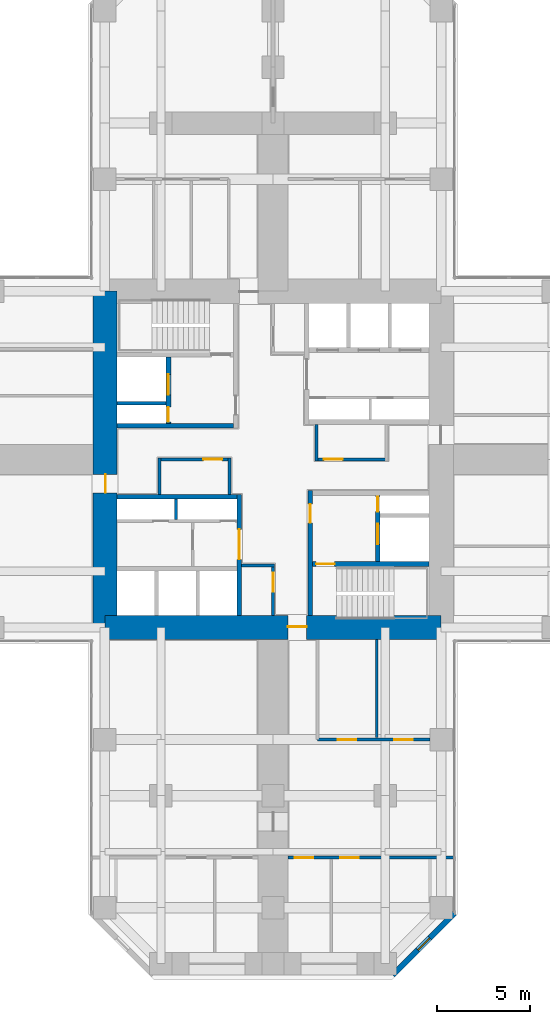
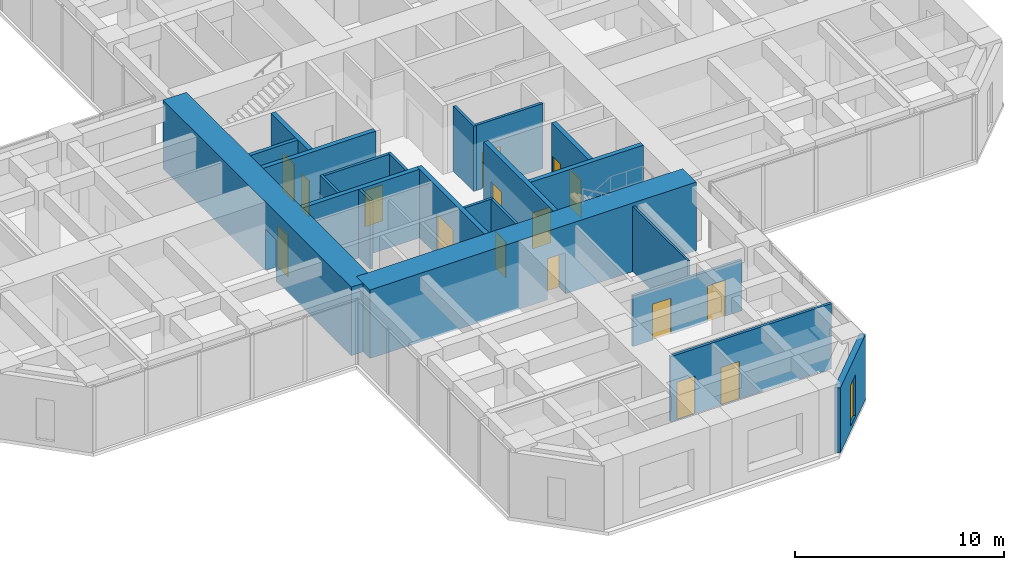
# One storey, part 9 of 13: 22 walls, 16 doors, 1 window, 17 openings.
"""IFC4 building model written with IfcOpenShell, lengths in metres."""

from ifc_helpers import new_model, si_unit, direction, frame, frame_2d, origin, place, context, subcontext, project, spatial, rectangle, hollow_rectangle, extrude, material, layer, layer_set, constituent, constituent_set, type_object, element, fill, save


model = new_model("IFC4")

# Units and contexts
model_context = context("Model", 3, precision=1e-05, world=origin(), true_north=direction((0.0, 1.0)))
body_context = subcontext(model_context, "Body", "Model", "MODEL_VIEW")
ifc_project = project(units=[si_unit("LENGTHUNIT", "METRE"), si_unit("AREAUNIT", "SQUARE_METRE"), si_unit("VOLUMEUNIT", "CUBIC_METRE"), si_unit("PLANEANGLEUNIT", "RADIAN"), si_unit("MASSUNIT", "GRAM", prefix="KILO")], contexts=[model_context])

# Site, building, storey
site_placement = place(None, origin())
site = spatial("IfcSite", under=ifc_project, at=site_placement, CompositionType="ELEMENT")
building_placement = place(site_placement, origin())
building = spatial("IfcBuilding", under=site, at=building_placement, Name="Torre Cruceta", CompositionType="ELEMENT")
storey_placement = place(building_placement, frame((0.0, 0.0, 31.5)))
storey = spatial("IfcBuildingStorey", under=building, at=storey_placement, Name="L07", CompositionType="ELEMENT", Elevation=31.5)

# Wall
ifc_material_1 = material(Name="Concrete G60 (fck 60 MPa)", Category="concrete")
ifc_layer_1 = layer(ifc_material_1, 0.25)
ifc_layer_set_1 = layer_set([ifc_layer_1], Name="Concrete G60 (fck 60 MPa)")
wall_type_1 = type_object("IfcWallType", Name="CORE INNER WALL 250 G60", PredefinedType="SHEAR", material=ifc_layer_set_1)
wall_1_placement = place(storey_placement, frame((-2.125, 1.800048828125, 0.0), z_axis=(0.0, 0.0, 1.0), x_axis=(-1.0, 0.0, 0.0)))
element("IfcWall", 1, at=wall_1_placement, inside=storey, type_object=wall_type_1, Name="CW4 L07 NW-CV", PredefinedType="SHEAR", context=body_context, shape_type="SweptSolid", body=[
    extrude(rectangle(XDim=6.22509765625, YDim=0.25, at=frame_2d((3.112548828125, 0.0))), origin(), (0.0, 0.0, 1.0), 4.0),
])

# Wall, openings, doors
wall_2_placement = place(storey_placement, frame((-5.60009765625, 1.925048828125, 0.0), z_axis=(0.0, 0.0, 1.0), x_axis=(0.0, 1.0, 0.0)))
wall_2 = element("IfcWall", 2, at=wall_2_placement, inside=storey, type_object=wall_type_1, Name="CW4 L07 NW-FU", PredefinedType="SHEAR", context=body_context, shape_type="SweptSolid", body=[
    extrude(rectangle(XDim=3.550048828125, YDim=0.25, at=frame_2d((1.77490234375, 0.0))), origin(), (0.0, 0.0, 1.0), 4.0),
])
opening_1_placement = place(wall_2_placement, frame((1.52490234375, 0.0, 0.0)))
opening_1 = element("IfcOpeningElement", 3, at=opening_1_placement, cuts=wall_2, Name="Opening LD1", PredefinedType="OPENING", context=body_context, shape_type="SweptSolid", body=[
    extrude(rectangle(XDim=1.10009765625, YDim=2.199951171875, at=frame_2d((0.550048828125, 1.10009765625))), frame((0.0, 0.135009765625, 0.0), z_axis=(0.0, -1.0, 0.0), x_axis=(1.0, 0.0, 0.0)), (0.0, 0.0, 1.0), 0.27001953125),
])
opening_2_placement = place(wall_2_placement, frame((0.074951171875, 0.0, 0.0)))
opening_2 = element("IfcOpeningElement", 4, at=opening_2_placement, cuts=wall_2, Name="Opening D5", PredefinedType="OPENING", context=body_context, shape_type="SweptSolid", body=[
    extrude(rectangle(XDim=0.800048828125, YDim=2.10009765625, at=frame_2d((0.39990234375, 1.050048828125))), frame((0.0, 0.135009765625, 0.0), z_axis=(0.0, -1.0, 0.0), x_axis=(1.0, 0.0, 0.0)), (0.0, 0.0, 1.0), 0.27001953125),
])
ifc_material_2 = material(Name="Stainless steel 1.4401", Category="steel")
door_type_1 = type_object("IfcDoorType", Name="LIFT LANDING DOOR 1100X2200", OperationType="DOUBLE_DOOR_SLIDING", PredefinedType="DOOR", material=ifc_material_2)
door_1_placement = place(opening_1_placement, origin())
door_1 = element("IfcDoor", 5, at=door_1_placement, inside=storey, type_object=door_type_1, Name="Lift landing door FL1", OperationType="DOUBLE_DOOR_SLIDING", OverallHeight=2.199951171875, OverallWidth=1.10009765625, PredefinedType="DOOR", context=body_context, shape_type="SweptSolid", body=[
    extrude(rectangle(XDim=1.10009765625, YDim=2.199951171875, at=frame_2d((0.550048828125, 1.10009765625))), frame((0.0, 0.02490234375, 0.0), z_axis=(0.0, -1.0, 0.0), x_axis=(1.0, 0.0, 0.0)), (0.0, 0.0, 1.0), 0.050048828125),
])
fill(opening_1, door_1)
ifc_material_3 = material(Name="Steel DX51D", Category="steel")
ifc_constituent_1 = constituent(ifc_material_3, Name="Leaf and frame")
ifc_material_4 = material(Name="Polyester powder coating", Category="paint")
ifc_constituent_2 = constituent(ifc_material_4, Name="Finish")
ifc_constituent_set_1 = constituent_set(constituents=[ifc_constituent_1, ifc_constituent_2], Name="Steel fire door")
door_type_2 = type_object("IfcDoorType", Name="RISER ACCESS DOOR 800X2100", OperationType="SINGLE_SWING_LEFT", PredefinedType="DOOR", material=ifc_constituent_set_1)
door_2_placement = place(opening_2_placement, origin())
door_2 = element("IfcDoor", 6, at=door_2_placement, inside=storey, type_object=door_type_2, Name="D5 L07 NW-RISER", OperationType="SINGLE_SWING_LEFT", OverallHeight=2.10009765625, OverallWidth=0.800048828125, PredefinedType="DOOR", context=body_context, shape_type="SweptSolid", body=[
    extrude(rectangle(XDim=0.800048828125, YDim=2.10009765625, at=frame_2d((0.39990234375, 1.050048828125))), frame((0.0, 0.02490234375, 0.0), z_axis=(0.0, -1.0, 0.0), x_axis=(1.0, 0.0, 0.0)), (0.0, 0.0, 1.0), 0.050048828125),
])
fill(opening_2, door_2)

# Wall, opening, door
wall_3_placement = place(storey_placement, frame((-1.800048828125, -1.875, 0.0), z_axis=(0.0, 0.0, 1.0), x_axis=(0.0, -1.0, 0.0)))
wall_3 = element("IfcWall", 7, at=wall_3_placement, inside=storey, type_object=wall_type_1, Name="CW4 L07 SW-CU", PredefinedType="SHEAR", context=body_context, shape_type="SweptSolid", body=[
    extrude(rectangle(XDim=6.47509765625, YDim=0.25, at=frame_2d((3.237548828125, 0.0))), origin(), (0.0, 0.0, 1.0), 4.0),
])
opening_3_placement = place(wall_3_placement, frame((1.875, 0.0, 0.0)))
opening_3 = element("IfcOpeningElement", 8, at=opening_3_placement, cuts=wall_3, Name="Opening D15", PredefinedType="OPENING", context=body_context, shape_type="SweptSolid", body=[
    extrude(rectangle(XDim=1.60009765625, YDim=2.39990234375, at=frame_2d((0.800048828125, 1.199951171875))), frame((0.0, 0.135009765625, 0.0), z_axis=(0.0, -1.0, 0.0), x_axis=(1.0, 0.0, 0.0)), (0.0, 0.0, 1.0), 0.27001953125),
])
ifc_material_5 = material(Name="Steel DX51D", Category="steel")
ifc_constituent_3 = constituent(ifc_material_5, Name="Leaf and frame")
ifc_material_6 = material(Name="Polyester powder coating", Category="paint")
ifc_constituent_4 = constituent(ifc_material_6, Name="Finish")
ifc_constituent_set_2 = constituent_set(constituents=[ifc_constituent_3, ifc_constituent_4], Name="Steel fire door")
door_type_3 = type_object("IfcDoorType", Name="CORE ROOM DOUBLE DOOR 1600X2400", OperationType="DOUBLE_DOOR_SINGLE_SWING", PredefinedType="DOOR", material=ifc_constituent_set_2)
door_3_placement = place(opening_3_placement, frame((1.60009765625, 0.0, 0.0), z_axis=(0.0, 0.0, 1.0), x_axis=(-1.0, 0.0, 0.0)))
door_3 = element("IfcDoor", 9, at=door_3_placement, inside=storey, type_object=door_type_3, Name="D15 L07 SW-LOBBY", OperationType="DOUBLE_DOOR_SINGLE_SWING", OverallHeight=2.39990234375, OverallWidth=1.60009765625, PredefinedType="DOOR", context=body_context, shape_type="SweptSolid", body=[
    extrude(rectangle(XDim=1.60009765625, YDim=2.39990234375, at=frame_2d((0.800048828125, 1.199951171875))), frame((0.0, 0.025146484375, 0.0), z_axis=(0.0, -1.0, 0.0), x_axis=(1.0, 0.0, 0.0)), (0.0, 0.0, 1.0), 0.050048828125),
])
fill(opening_3, door_3)

# Wall
wall_4_placement = place(storey_placement, frame((-1.925048828125, -2.0, 0.0), z_axis=(0.0, 0.0, 1.0), x_axis=(-1.0, 0.0, 0.0)))
element("IfcWall", 10, at=wall_4_placement, inside=storey, type_object=wall_type_1, Name="CW4 L07 SW-CV", PredefinedType="SHEAR", context=body_context, shape_type="SweptSolid", body=[
    extrude(rectangle(XDim=6.425048828125, YDim=0.25, at=frame_2d((3.21240234375, 0.0))), origin(), (0.0, 0.0, 1.0), 4.0),
])

# Wall, opening, door
wall_5_placement = place(storey_placement, frame((2.0, -1.675048828125, 0.0), z_axis=(0.0, 0.0, 1.0), x_axis=(0.0, -1.0, 0.0)))
wall_5 = element("IfcWall", 11, at=wall_5_placement, inside=storey, type_object=wall_type_1, Name="CW4 L07 SE-CU", PredefinedType="SHEAR", context=body_context, shape_type="SweptSolid", body=[
    extrude(rectangle(XDim=6.675048828125, YDim=0.25, at=frame_2d((3.33740234375, 0.0))), origin(), (0.0, 0.0, 1.0), 4.0),
])
opening_4_placement = place(wall_5_placement, frame((0.72509765625, 0.0, 0.0)))
opening_4 = element("IfcOpeningElement", 12, at=opening_4_placement, cuts=wall_5, Name="Opening D3", PredefinedType="OPENING", context=body_context, shape_type="SweptSolid", body=[
    extrude(rectangle(XDim=1.0, YDim=2.10009765625, at=frame_2d((0.5, 1.050048828125))), frame((0.0, 0.135009765625, 0.0), z_axis=(0.0, -1.0, 0.0), x_axis=(1.0, 0.0, 0.0)), (0.0, 0.0, 1.0), 0.27001953125),
])
ifc_material_7 = material(Name="Steel DX51D", Category="steel")
ifc_constituent_5 = constituent(ifc_material_7, Name="Leaf and frame")
ifc_material_8 = material(Name="Polyester powder coating", Category="paint")
ifc_constituent_6 = constituent(ifc_material_8, Name="Finish")
ifc_constituent_set_3 = constituent_set(constituents=[ifc_constituent_5, ifc_constituent_6], Name="Steel fire door")
door_type_4 = type_object("IfcDoorType", Name="FIRE DOOR 1000X2100", OperationType="SINGLE_SWING_LEFT", PredefinedType="DOOR", material=ifc_constituent_set_3)
door_4_placement = place(opening_4_placement, origin())
door_4 = element("IfcDoor", 13, at=door_4_placement, inside=storey, type_object=door_type_4, Name="D3 L07 SE-LOBBY", OperationType="SINGLE_SWING_LEFT", OverallHeight=2.10009765625, OverallWidth=1.0, PredefinedType="DOOR", context=body_context, shape_type="SweptSolid", body=[
    extrude(rectangle(XDim=1.0, YDim=2.10009765625, at=frame_2d((0.5, 1.050048828125))), frame((0.0, 0.02490234375, 0.0), z_axis=(0.0, -1.0, 0.0), x_axis=(1.0, 0.0, 0.0)), (0.0, 0.0, 1.0), 0.050048828125),
])
fill(opening_4, door_4)

wall_6_placement = place(storey_placement, frame((2.125, -5.60009765625, 0.0), z_axis=(0.0, 0.0, 1.0), x_axis=(1.0, 0.0, 0.0)))
wall_6 = element("IfcWall", 14, at=wall_6_placement, inside=storey, type_object=wall_type_1, Name="CW4 L07 SE-SV", PredefinedType="SHEAR", context=body_context, shape_type="SweptSolid", body=[
    extrude(rectangle(XDim=6.22509765625, YDim=0.25, at=frame_2d((3.112548828125, 0.0))), origin(), (0.0, 0.0, 1.0), 4.0),
])
opening_5_placement = place(wall_6_placement, frame((0.175048828125, 0.0, 0.0)))
opening_5 = element("IfcOpeningElement", 15, at=opening_5_placement, cuts=wall_6, Name="Opening D3", PredefinedType="OPENING", context=body_context, shape_type="SweptSolid", body=[
    extrude(rectangle(XDim=1.0, YDim=2.10009765625, at=frame_2d((0.5, 1.050048828125))), frame((0.0, 0.135009765625, 0.0), z_axis=(0.0, -1.0, 0.0), x_axis=(1.0, 0.0, 0.0)), (0.0, 0.0, 1.0), 0.27001953125),
])
door_5_placement = place(opening_5_placement, frame((1.0, 0.0, 0.0), z_axis=(0.0, 0.0, 1.0), x_axis=(-1.0, 0.0, 0.0)))
door_5 = element("IfcDoor", 16, at=door_5_placement, inside=storey, type_object=door_type_4, Name="D3 L07 SE-STAIR", OperationType="SINGLE_SWING_RIGHT", OverallHeight=2.10009765625, OverallWidth=1.0, PredefinedType="DOOR", context=body_context, shape_type="SweptSolid", body=[
    extrude(rectangle(XDim=1.0, YDim=2.10009765625, at=frame_2d((0.5, 1.050048828125))), frame((0.0, 0.025146484375, 0.0), z_axis=(0.0, -1.0, 0.0), x_axis=(1.0, 0.0, 0.0)), (0.0, 0.0, 1.0), 0.050048828125),
])
fill(opening_5, door_5)

# Wall, openings, doors
wall_7_placement = place(storey_placement, frame((5.60009765625, -1.925048828125, 0.0), z_axis=(0.0, 0.0, 1.0), x_axis=(0.0, -1.0, 0.0)))
wall_7 = element("IfcWall", 17, at=wall_7_placement, inside=storey, type_object=wall_type_1, Name="CW4 L07 SE-FU", PredefinedType="SHEAR", context=body_context, shape_type="SweptSolid", body=[
    extrude(rectangle(XDim=3.550048828125, YDim=0.25, at=frame_2d((1.77490234375, 0.0))), origin(), (0.0, 0.0, 1.0), 4.0),
])
opening_6_placement = place(wall_7_placement, frame((1.52490234375, 0.0, 0.0)))
opening_6 = element("IfcOpeningElement", 18, at=opening_6_placement, cuts=wall_7, Name="Opening LD1", PredefinedType="OPENING", context=body_context, shape_type="SweptSolid", body=[
    extrude(rectangle(XDim=1.10009765625, YDim=2.199951171875, at=frame_2d((0.550048828125, 1.10009765625))), frame((0.0, 0.135009765625, 0.0), z_axis=(0.0, -1.0, 0.0), x_axis=(1.0, 0.0, 0.0)), (0.0, 0.0, 1.0), 0.27001953125),
])
opening_7_placement = place(wall_7_placement, frame((0.074951171875, 0.0, 0.0)))
opening_7 = element("IfcOpeningElement", 19, at=opening_7_placement, cuts=wall_7, Name="Opening D5", PredefinedType="OPENING", context=body_context, shape_type="SweptSolid", body=[
    extrude(rectangle(XDim=0.800048828125, YDim=2.10009765625, at=frame_2d((0.39990234375, 1.050048828125))), frame((0.0, 0.135009765625, 0.0), z_axis=(0.0, -1.0, 0.0), x_axis=(1.0, 0.0, 0.0)), (0.0, 0.0, 1.0), 0.27001953125),
])
door_6_placement = place(opening_6_placement, origin())
door_6 = element("IfcDoor", 20, at=door_6_placement, inside=storey, type_object=door_type_1, Name="Lift landing door FL2", OperationType="DOUBLE_DOOR_SLIDING", OverallHeight=2.199951171875, OverallWidth=1.10009765625, PredefinedType="DOOR", context=body_context, shape_type="SweptSolid", body=[
    extrude(rectangle(XDim=1.10009765625, YDim=2.199951171875, at=frame_2d((0.550048828125, 1.10009765625))), frame((0.0, 0.02490234375, 0.0), z_axis=(0.0, -1.0, 0.0), x_axis=(1.0, 0.0, 0.0)), (0.0, 0.0, 1.0), 0.050048828125),
])
fill(opening_6, door_6)
door_7_placement = place(opening_7_placement, origin())
door_7 = element("IfcDoor", 21, at=door_7_placement, inside=storey, type_object=door_type_2, Name="D5 L07 SE-RISER", OperationType="SINGLE_SWING_LEFT", OverallHeight=2.10009765625, OverallWidth=0.800048828125, PredefinedType="DOOR", context=body_context, shape_type="SweptSolid", body=[
    extrude(rectangle(XDim=0.800048828125, YDim=2.10009765625, at=frame_2d((0.39990234375, 1.050048828125))), frame((0.0, 0.02490234375, 0.0), z_axis=(0.0, -1.0, 0.0), x_axis=(1.0, 0.0, 0.0)), (0.0, 0.0, 1.0), 0.050048828125),
])
fill(opening_7, door_7)

# Wall, opening, door
ifc_material_9 = material(Name="Concrete G60 (fck 60 MPa)", Category="concrete")
ifc_layer_2 = layer(ifc_material_9, 1.300048828125)
ifc_layer_set_2 = layer_set([ifc_layer_2], Name="Concrete G60 (fck 60 MPa)")
wall_type_2 = type_object("IfcWallType", Name="CORE WALL 1300 G60", PredefinedType="SHEAR", material=ifc_layer_set_2)
wall_8_placement = place(storey_placement, frame((-9.0, -9.0, 0.0), z_axis=(0.0, 0.0, 1.0), x_axis=(1.0, 0.0, 0.0)))
wall_8 = element("IfcWall", 22, at=wall_8_placement, inside=storey, type_object=wall_type_2, Name="CW1 L07 CW-S", PredefinedType="SHEAR", context=body_context, shape_type="SweptSolid", body=[
    extrude(rectangle(XDim=18.0, YDim=1.300048828125, at=frame_2d((9.0, 0.0))), origin(), (0.0, 0.0, 1.0), 4.0),
])
opening_8_placement = place(wall_8_placement, frame((9.800048828125, 0.0, 0.0)))
opening_8 = element("IfcOpeningElement", 23, at=opening_8_placement, cuts=wall_8, Name="Opening D4", PredefinedType="OPENING", context=body_context, shape_type="SweptSolid", body=[
    extrude(rectangle(XDim=1.0, YDim=2.39990234375, at=frame_2d((0.5, 1.199951171875))), frame((0.0, 0.659912109375, 0.0), z_axis=(0.0, -1.0, 0.0), x_axis=(1.0, 0.0, 0.0)), (0.0, 0.0, 1.0), 1.320068359375),
])
ifc_material_10 = material(Name="Steel DX51D", Category="steel")
ifc_constituent_7 = constituent(ifc_material_10, Name="Leaf and frame")
ifc_material_11 = material(Name="Polyester powder coating", Category="paint")
ifc_constituent_8 = constituent(ifc_material_11, Name="Finish")
ifc_constituent_set_4 = constituent_set(constituents=[ifc_constituent_7, ifc_constituent_8], Name="Steel fire door")
door_type_5 = type_object("IfcDoorType", Name="CORE ARM DOOR 1000X2400", OperationType="SINGLE_SWING_RIGHT", PredefinedType="DOOR", material=ifc_constituent_set_4)
door_8_placement = place(opening_8_placement, frame((1.0, 0.0, 0.0), z_axis=(0.0, 0.0, 1.0), x_axis=(-1.0, 0.0, 0.0)))
door_8 = element("IfcDoor", 24, at=door_8_placement, inside=storey, type_object=door_type_5, Name="D4 L07 CW-S", OperationType="SINGLE_SWING_RIGHT", OverallHeight=2.39990234375, OverallWidth=1.0, PredefinedType="DOOR", context=body_context, shape_type="SweptSolid", body=[
    extrude(rectangle(XDim=1.0, YDim=2.39990234375, at=frame_2d((0.5, 1.199951171875))), frame((0.0, -0.005126953125, 0.0), z_axis=(0.0, -1.0, 0.0), x_axis=(1.0, 0.0, 0.0)), (0.0, 0.0, 1.0), 0.050048828125),
])
fill(opening_8, door_8)

wall_9_placement = place(storey_placement, frame((-9.0, 9.0, 0.0), z_axis=(0.0, 0.0, 1.0), x_axis=(0.0, -1.0, 0.0)))
wall_9 = element("IfcWall", 25, at=wall_9_placement, inside=storey, type_object=wall_type_2, Name="CW1 L07 CW-W", PredefinedType="SHEAR", context=body_context, shape_type="SweptSolid", body=[
    extrude(rectangle(XDim=18.0, YDim=1.300048828125, at=frame_2d((9.0, 0.0))), origin(), (0.0, 0.0, 1.0), 4.0),
])
opening_9_placement = place(wall_9_placement, frame((9.800048828125, 0.0, 0.0)))
opening_9 = element("IfcOpeningElement", 26, at=opening_9_placement, cuts=wall_9, Name="Opening D4", PredefinedType="OPENING", context=body_context, shape_type="SweptSolid", body=[
    extrude(rectangle(XDim=1.0, YDim=2.39990234375, at=frame_2d((0.5, 1.199951171875))), frame((0.0, 0.659912109375, 0.0), z_axis=(0.0, -1.0, 0.0), x_axis=(1.0, 0.0, 0.0)), (0.0, 0.0, 1.0), 1.320068359375),
])
door_9_placement = place(opening_9_placement, frame((1.0, 0.0, 0.0), z_axis=(0.0, 0.0, 1.0), x_axis=(-1.0, 0.0, 0.0)))
door_9 = element("IfcDoor", 27, at=door_9_placement, inside=storey, type_object=door_type_5, Name="D4 L07 CW-W", OperationType="SINGLE_SWING_RIGHT", OverallHeight=2.39990234375, OverallWidth=1.0, PredefinedType="DOOR", context=body_context, shape_type="SweptSolid", body=[
    extrude(rectangle(XDim=1.0, YDim=2.39990234375, at=frame_2d((0.5, 1.199951171875))), frame((0.0, -0.005126953125, 0.0), z_axis=(0.0, -1.0, 0.0), x_axis=(1.0, 0.0, 0.0)), (0.0, 0.0, 1.0), 0.050048828125),
])
fill(opening_9, door_9)

# Wall, opening, window
ifc_material_12 = material(Name="Concrete G30 (fck 30 MPa)", Category="concrete")
ifc_layer_3 = layer(ifc_material_12, 0.300048828125)
ifc_layer_set_3 = layer_set([ifc_layer_3], Name="Concrete G30 (fck 30 MPa)")
wall_type_3 = type_object("IfcWallType", Name="EXPOSED CONCRETE FACADE WALL 300", PredefinedType="SOLIDWALL", material=ifc_layer_set_3)
wall_10_placement = place(storey_placement, frame((6.418212890625, -27.60009765625, 0.0), z_axis=(0.0, 0.0, 1.0), x_axis=(0.707106781187, 0.707106781187, 0.0)))
wall_10 = element("IfcWall", 28, at=wall_10_placement, inside=storey, type_object=wall_type_3, Name="EW1 facade wall L07 S chamfer 18", PredefinedType="SOLIDWALL", context=body_context, shape_type="SweptSolid", body=[
    extrude(rectangle(XDim=4.66943359375, YDim=0.300048828125, at=frame_2d((2.334716796875, 0.0))), origin(), (0.0, 0.0, 1.0), 3.800048828125),
])
opening_10_placement = place(wall_10_placement, frame((1.884765625, 0.0, 0.300048828125)))
opening_10 = element("IfcOpeningElement", 29, at=opening_10_placement, cuts=wall_10, Name="Opening WN5", PredefinedType="OPENING", context=body_context, shape_type="SweptSolid", body=[
    extrude(rectangle(XDim=0.89990234375, YDim=2.39990234375, at=frame_2d((0.449951171875, 1.199951171875))), frame((0.0, 0.159912109375, 0.0), z_axis=(0.0, -1.0, 0.0), x_axis=(1.0, 0.0, 0.0)), (0.0, 0.0, 1.0), 0.320068359375),
])
ifc_material_13 = material(Name="Aluminium window frame", Category="aluminium")
ifc_constituent_9 = constituent(ifc_material_13, Name="Frame")
ifc_material_14 = material(Name="Laminated insulating glass unit, low-iron clear", Category="glass")
ifc_constituent_10 = constituent(ifc_material_14, Name="Glazing")
ifc_constituent_set_5 = constituent_set(constituents=[ifc_constituent_9, ifc_constituent_10], Name="Aluminium window")
window_type = type_object("IfcWindowType", Name="CHAMFER SLOT WINDOW 900X2400", PartitioningType="SINGLE_PANEL", PredefinedType="WINDOW", material=ifc_constituent_set_5)
window_placement = place(opening_10_placement, origin())
window = element("IfcWindow", 30, at=window_placement, inside=storey, type_object=window_type, Name="WN5 L07 S 1", OverallHeight=2.39990234375, OverallWidth=0.89990234375, PartitioningType="SINGLE_PANEL", PredefinedType="WINDOW", context=body_context, shape_type="SweptSolid", body=[
    extrude(hollow_rectangle(XDim=0.89990234375, YDim=2.39990234375, WallThickness=0.06005859375, at=frame_2d((0.449951171875, 1.199951171875))), frame((0.0, 0.030029296875, 0.0), z_axis=(0.0, -1.0, 0.0), x_axis=(1.0, 0.0, 0.0)), (0.0, 0.0, 1.0), 0.06005859375),
    extrude(rectangle(XDim=0.77880859375, YDim=2.27880859375, at=frame_2d((0.449951171875, 1.199951171875))), frame((0.0, 0.030029296875, 0.0), z_axis=(0.0, -1.0, 0.0), x_axis=(1.0, 0.0, 0.0)), (0.0, 0.0, 1.0), 0.06005859375),
])
fill(opening_10, window)

# Wall
ifc_material_15 = material(Name="Concrete G35 (fck 35 MPa)", Category="concrete")
ifc_layer_4 = layer(ifc_material_15, 0.199951171875)
ifc_layer_set_4 = layer_set([ifc_layer_4], Name="Concrete G35 (fck 35 MPa)")
wall_type_4 = type_object("IfcWallType", Name="LIFT SHAFT WALL 200", PredefinedType="PARTITIONING", material=ifc_layer_set_4)
wall_11_placement = place(storey_placement, frame((-5.72509765625, 3.0, 0.0), z_axis=(0.0, 0.0, 1.0), x_axis=(-1.0, 0.0, 0.0)))
element("IfcWall", 31, at=wall_11_placement, inside=storey, type_object=wall_type_4, Name="SW1 L07 NW-FR", PredefinedType="PARTITIONING", context=body_context, shape_type="SweptSolid", body=[
    extrude(rectangle(XDim=2.625, YDim=0.199951171875, at=frame_2d((1.3125, 0.0))), origin(), (0.0, 0.0, 1.0), 4.0),
])

# Wall, opening, door
ifc_material_16 = material(Name="Plasterboard on steel studs", Category="steel")
ifc_layer_5 = layer(ifc_material_16, 0.14990234375)
ifc_layer_set_5 = layer_set([ifc_layer_5], Name="Plasterboard on steel studs")
wall_type_5 = type_object("IfcWallType", Name="PARTITION 150", PredefinedType="PARTITIONING", material=ifc_layer_set_5)
wall_12_placement = place(storey_placement, frame((2.324951171875, 0.0, 0.0), z_axis=(0.0, 0.0, 1.0), x_axis=(1.0, 0.0, 0.0)))
wall_12 = element("IfcWall", 32, at=wall_12_placement, inside=storey, type_object=wall_type_5, Name="PT1 L07-CORE-LEGE-N-W1", PredefinedType="PARTITIONING", context=body_context, shape_type="SweptSolid", body=[
    extrude(rectangle(XDim=3.75, YDim=0.14990234375, at=frame_2d((1.875, 0.0))), origin(), (0.0, 0.0, 1.0), 3.800048828125),
])
opening_11_placement = place(wall_12_placement, frame((0.39990234375, 0.0, 0.0)))
opening_11 = element("IfcOpeningElement", 33, at=opening_11_placement, cuts=wall_12, Name="Opening D3", PredefinedType="OPENING", context=body_context, shape_type="SweptSolid", body=[
    extrude(rectangle(XDim=1.0, YDim=2.10009765625, at=frame_2d((0.5, 1.050048828125))), frame((0.0, 0.0849609375, 0.0), z_axis=(0.0, -1.0, 0.0), x_axis=(1.0, 0.0, 0.0)), (0.0, 0.0, 1.0), 0.169921875),
])
door_10_placement = place(opening_11_placement, origin())
door_10 = element("IfcDoor", 34, at=door_10_placement, inside=storey, type_object=door_type_4, Name="D3 L07-CORE-LEGE-N-W1-D1", OperationType="SINGLE_SWING_LEFT", OverallHeight=2.10009765625, OverallWidth=1.0, PredefinedType="DOOR", context=body_context, shape_type="SweptSolid", body=[
    extrude(rectangle(XDim=1.0, YDim=2.10009765625, at=frame_2d((0.5, 1.050048828125))), frame((0.0, 0.02490234375, 0.0), z_axis=(0.0, -1.0, 0.0), x_axis=(1.0, 0.0, 0.0)), (0.0, 0.0, 1.0), 0.050048828125),
])
fill(opening_11, door_10)

# Wall
wall_13_placement = place(storey_placement, frame((2.324951171875, 1.875, 0.0), z_axis=(0.0, 0.0, 1.0), x_axis=(0.0, -1.0, 0.0)))
element("IfcWall", 35, at=wall_13_placement, inside=storey, type_object=wall_type_5, Name="PT1 L07-CORE-LEGE-N-W2", PredefinedType="PARTITIONING", context=body_context, shape_type="SweptSolid", body=[
    extrude(rectangle(XDim=1.949951171875, YDim=0.14990234375, at=frame_2d((0.97509765625, 0.0))), origin(), (0.0, 0.0, 1.0), 3.800048828125),
])

# Wall, opening, door
wall_14_placement = place(storey_placement, frame((-2.324951171875, 0.0, 0.0), z_axis=(0.0, 0.0, 1.0), x_axis=(-1.0, 0.0, 0.0)))
wall_14 = element("IfcWall", 36, at=wall_14_placement, inside=storey, type_object=wall_type_5, Name="PT1 L07-CORE-LEGW-S-W1", PredefinedType="PARTITIONING", context=body_context, shape_type="SweptSolid", body=[
    extrude(rectangle(XDim=3.75, YDim=0.14990234375, at=frame_2d((1.875, 0.0))), origin(), (0.0, 0.0, 1.0), 3.800048828125),
])
opening_12_placement = place(wall_14_placement, frame((0.39990234375, 0.0, 0.0)))
opening_12 = element("IfcOpeningElement", 37, at=opening_12_placement, cuts=wall_14, Name="Opening D3", PredefinedType="OPENING", context=body_context, shape_type="SweptSolid", body=[
    extrude(rectangle(XDim=1.0, YDim=2.10009765625, at=frame_2d((0.5, 1.050048828125))), frame((0.0, 0.0849609375, 0.0), z_axis=(0.0, -1.0, 0.0), x_axis=(1.0, 0.0, 0.0)), (0.0, 0.0, 1.0), 0.169921875),
])
door_11_placement = place(opening_12_placement, origin())
door_11 = element("IfcDoor", 38, at=door_11_placement, inside=storey, type_object=door_type_4, Name="D3 L07-CORE-LEGW-S-W1-D1", OperationType="SINGLE_SWING_LEFT", OverallHeight=2.10009765625, OverallWidth=1.0, PredefinedType="DOOR", context=body_context, shape_type="SweptSolid", body=[
    extrude(rectangle(XDim=1.0, YDim=2.10009765625, at=frame_2d((0.5, 1.050048828125))), frame((0.0, 0.02490234375, 0.0), z_axis=(0.0, -1.0, 0.0), x_axis=(1.0, 0.0, 0.0)), (0.0, 0.0, 1.0), 0.050048828125),
])
fill(opening_12, door_11)

# Walls
for number, where, z_axis, x_axis, name in (
    (39, (-2.324951171875, -1.875, 0.0), (0.0, 0.0, 1.0), (0.0, 1.0, 0.0), "PT1 L07-CORE-LEGW-S-W2"),
    (40, (-6.074951171875, 0.074951171875, 0.0), (0.0, 0.0, 1.0), (0.0, -1.0, 0.0), "PT1 L07-CORE-LEGW-S-W3"),
):
    element("IfcWall", number, at=place(storey_placement, frame(where, z_axis=z_axis, x_axis=x_axis)), inside=storey, type_object=wall_type_5, Name=name, PredefinedType="PARTITIONING", context=body_context, shape_type="SweptSolid", body=[
        extrude(rectangle(XDim=1.949951171875, YDim=0.14990234375, at=frame_2d((0.97509765625, 0.0))), origin(), (0.0, 0.0, 1.0), 3.800048828125),
    ])

# Wall, opening, door
wall_15_placement = place(storey_placement, frame((0.0, -5.675048828125, 0.0), z_axis=(0.0, 0.0, 1.0), x_axis=(0.0, -1.0, 0.0)))
wall_15 = element("IfcWall", 41, at=wall_15_placement, inside=storey, type_object=wall_type_5, Name="PT1 L07-CORE-LEGS-W-W1", PredefinedType="PARTITIONING", context=body_context, shape_type="SweptSolid", body=[
    extrude(rectangle(XDim=2.675048828125, YDim=0.14990234375, at=frame_2d((1.33740234375, 0.0))), origin(), (0.0, 0.0, 1.0), 3.800048828125),
])
opening_13_placement = place(wall_15_placement, frame((0.39990234375, 0.0, 0.0)))
opening_13 = element("IfcOpeningElement", 42, at=opening_13_placement, cuts=wall_15, Name="Opening D3", PredefinedType="OPENING", context=body_context, shape_type="SweptSolid", body=[
    extrude(rectangle(XDim=1.0, YDim=2.10009765625, at=frame_2d((0.5, 1.050048828125))), frame((0.0, 0.0849609375, 0.0), z_axis=(0.0, -1.0, 0.0), x_axis=(1.0, 0.0, 0.0)), (0.0, 0.0, 1.0), 0.169921875),
])
door_12_placement = place(opening_13_placement, frame((1.0, 0.0, 0.0), z_axis=(0.0, 0.0, 1.0), x_axis=(-1.0, 0.0, 0.0)))
door_12 = element("IfcDoor", 43, at=door_12_placement, inside=storey, type_object=door_type_4, Name="D3 L07-CORE-LEGS-W-W1-D1", OperationType="SINGLE_SWING_RIGHT", OverallHeight=2.10009765625, OverallWidth=1.0, PredefinedType="DOOR", context=body_context, shape_type="SweptSolid", body=[
    extrude(rectangle(XDim=1.0, YDim=2.10009765625, at=frame_2d((0.5, 1.050048828125))), frame((0.0, 0.025146484375, 0.0), z_axis=(0.0, -1.0, 0.0), x_axis=(1.0, 0.0, 0.0)), (0.0, 0.0, 1.0), 0.050048828125),
])
fill(opening_13, door_12)

# Wall
wall_16_placement = place(storey_placement, frame((-1.675048828125, -5.675048828125, 0.0), z_axis=(0.0, 0.0, 1.0), x_axis=(1.0, 0.0, 0.0)))
element("IfcWall", 44, at=wall_16_placement, inside=storey, type_object=wall_type_5, Name="PT1 L07-CORE-LEGS-W-W2", PredefinedType="PARTITIONING", context=body_context, shape_type="SweptSolid", body=[
    extrude(rectangle(XDim=1.75, YDim=0.14990234375, at=frame_2d((0.875, 0.0))), origin(), (0.0, 0.0, 1.0), 3.800048828125),
])

# Wall, openings, doors
wall_17_placement = place(storey_placement, frame((2.375, -15.0, 0.0), z_axis=(0.0, 0.0, 1.0), x_axis=(1.0, 0.0, 0.0)))
wall_17 = element("IfcWall", 45, at=wall_17_placement, inside=storey, type_object=wall_type_5, Name="PT1 L07-S-BFL", PredefinedType="PARTITIONING", context=body_context, shape_type="SweptSolid", body=[
    extrude(rectangle(XDim=6.02490234375, YDim=0.14990234375, at=frame_2d((3.012451171875, 0.0))), origin(), (0.0, 0.0, 1.0), 2.949951171875),
])
opening_14_placement = place(wall_17_placement, frame((1.08984375, 0.0, 0.0)))
opening_14 = element("IfcOpeningElement", 46, at=opening_14_placement, cuts=wall_17, Name="Opening D3", PredefinedType="OPENING", context=body_context, shape_type="SweptSolid", body=[
    extrude(rectangle(XDim=1.0, YDim=2.10009765625, at=frame_2d((0.5, 1.050048828125))), frame((0.0, 0.0849609375, 0.0), z_axis=(0.0, -1.0, 0.0), x_axis=(1.0, 0.0, 0.0)), (0.0, 0.0, 1.0), 0.169921875),
])
opening_15_placement = place(wall_17_placement, frame((4.102294921875, 0.0, 0.0)))
opening_15 = element("IfcOpeningElement", 47, at=opening_15_placement, cuts=wall_17, Name="Opening D3", PredefinedType="OPENING", context=body_context, shape_type="SweptSolid", body=[
    extrude(rectangle(XDim=1.0, YDim=2.10009765625, at=frame_2d((0.5, 1.050048828125))), frame((0.0, 0.0849609375, 0.0), z_axis=(0.0, -1.0, 0.0), x_axis=(1.0, 0.0, 0.0)), (0.0, 0.0, 1.0), 0.169921875),
])
door_13_placement = place(opening_14_placement, origin())
door_13 = element("IfcDoor", 48, at=door_13_placement, inside=storey, type_object=door_type_4, Name="D3 L07-S-BFL-D1", OperationType="SINGLE_SWING_LEFT", OverallHeight=2.10009765625, OverallWidth=1.0, PredefinedType="DOOR", context=body_context, shape_type="SweptSolid", body=[
    extrude(rectangle(XDim=1.0, YDim=2.10009765625, at=frame_2d((0.5, 1.050048828125))), frame((0.0, 0.02490234375, 0.0), z_axis=(0.0, -1.0, 0.0), x_axis=(1.0, 0.0, 0.0)), (0.0, 0.0, 1.0), 0.050048828125),
])
fill(opening_14, door_13)
door_14_placement = place(opening_15_placement, origin())
door_14 = element("IfcDoor", 49, at=door_14_placement, inside=storey, type_object=door_type_4, Name="D3 L07-S-BFL-D2", OperationType="SINGLE_SWING_LEFT", OverallHeight=2.10009765625, OverallWidth=1.0, PredefinedType="DOOR", context=body_context, shape_type="SweptSolid", body=[
    extrude(rectangle(XDim=1.0, YDim=2.10009765625, at=frame_2d((0.5, 1.050048828125))), frame((0.0, 0.02490234375, 0.0), z_axis=(0.0, -1.0, 0.0), x_axis=(1.0, 0.0, 0.0)), (0.0, 0.0, 1.0), 0.050048828125),
])
fill(opening_15, door_14)

wall_18_placement = place(storey_placement, frame((0.800048828125, -21.320068359375, 0.0), z_axis=(0.0, 0.0, 1.0), x_axis=(1.0, 0.0, 0.0)))
wall_18 = element("IfcWall", 50, at=wall_18_placement, inside=storey, type_object=wall_type_5, Name="PT1 L07-S-TWL", PredefinedType="PARTITIONING", context=body_context, shape_type="SweptSolid", body=[
    extrude(rectangle(XDim=8.8798828125, YDim=0.14990234375, at=frame_2d((4.43994140625, 0.0))), origin(), (0.0, 0.0, 1.0), 3.800048828125),
])
opening_16_placement = place(wall_18_placement, frame((0.35009765625, 0.0, 0.0)))
opening_16 = element("IfcOpeningElement", 51, at=opening_16_placement, cuts=wall_18, Name="Opening D14", PredefinedType="OPENING", context=body_context, shape_type="SweptSolid", body=[
    extrude(rectangle(XDim=1.0, YDim=2.199951171875, at=frame_2d((0.5, 1.10009765625))), frame((0.0, 0.0849609375, 0.0), z_axis=(0.0, -1.0, 0.0), x_axis=(1.0, 0.0, 0.0)), (0.0, 0.0, 1.0), 0.169921875),
])
opening_17_placement = place(wall_18_placement, frame((2.79296875, 0.0, 0.0)))
opening_17 = element("IfcOpeningElement", 52, at=opening_17_placement, cuts=wall_18, Name="Opening D14", PredefinedType="OPENING", context=body_context, shape_type="SweptSolid", body=[
    extrude(rectangle(XDim=1.0, YDim=2.199951171875, at=frame_2d((0.5, 1.10009765625))), frame((0.0, 0.0849609375, 0.0), z_axis=(0.0, -1.0, 0.0), x_axis=(1.0, 0.0, 0.0)), (0.0, 0.0, 1.0), 0.169921875),
])
ifc_material_17 = material(Name="Steel DX51D", Category="steel")
ifc_constituent_11 = constituent(ifc_material_17, Name="Leaf and frame")
ifc_material_18 = material(Name="Polyester powder coating", Category="paint")
ifc_constituent_12 = constituent(ifc_material_18, Name="Finish")
ifc_material_19 = material(Name="Fire-resisting glass", Category="glass")
ifc_constituent_13 = constituent(ifc_material_19, Name="Vision panel")
ifc_constituent_set_6 = constituent_set(constituents=[ifc_constituent_11, ifc_constituent_12, ifc_constituent_13], Name="Steel fire door with vision panel")
door_type_6 = type_object("IfcDoorType", Name="FIRE DOOR VISION PANEL 1000X2200", OperationType="SINGLE_SWING_RIGHT", PredefinedType="DOOR", material=ifc_constituent_set_6)
door_15_placement = place(opening_16_placement, frame((1.0, 0.0, 0.0), z_axis=(0.0, 0.0, 1.0), x_axis=(-1.0, 0.0, 0.0)))
door_15 = element("IfcDoor", 53, at=door_15_placement, inside=storey, type_object=door_type_6, Name="D14 L07-S-TWL-D1", OperationType="SINGLE_SWING_RIGHT", OverallHeight=2.199951171875, OverallWidth=1.0, PredefinedType="DOOR", context=body_context, shape_type="SweptSolid", body=[
    extrude(rectangle(XDim=1.0, YDim=2.199951171875, at=frame_2d((0.5, 1.10009765625))), frame((0.0, 0.025146484375, 0.0), z_axis=(0.0, -1.0, 0.0), x_axis=(1.0, 0.0, 0.0)), (0.0, 0.0, 1.0), 0.050048828125),
])
fill(opening_16, door_15)
door_16_placement = place(opening_17_placement, frame((1.0, 0.0, 0.0), z_axis=(0.0, 0.0, 1.0), x_axis=(-1.0, 0.0, 0.0)))
door_16 = element("IfcDoor", 54, at=door_16_placement, inside=storey, type_object=door_type_6, Name="D14 L07-S-TWL-D2", OperationType="SINGLE_SWING_RIGHT", OverallHeight=2.199951171875, OverallWidth=1.0, PredefinedType="DOOR", context=body_context, shape_type="SweptSolid", body=[
    extrude(rectangle(XDim=1.0, YDim=2.199951171875, at=frame_2d((0.5, 1.10009765625))), frame((0.0, 0.025146484375, 0.0), z_axis=(0.0, -1.0, 0.0), x_axis=(1.0, 0.0, 0.0)), (0.0, 0.0, 1.0), 0.050048828125),
])
fill(opening_17, door_16)

# Walls
ifc_material_20 = material(Name="Concrete block masonry", Category="masonry")
ifc_layer_6 = layer(ifc_material_20, 0.14990234375)
ifc_layer_set_6 = layer_set([ifc_layer_6], Name="Concrete block masonry")
wall_type_6 = type_object("IfcWallType", Name="RISER WALL 150", PredefinedType="PARTITIONING", material=ifc_layer_set_6)
wall_19_placement = place(storey_placement, frame((-5.199951171875, -2.125, 0.0), z_axis=(0.0, 0.0, 1.0), x_axis=(0.0, -1.0, 0.0)))
element("IfcWall", 55, at=wall_19_placement, inside=storey, type_object=wall_type_6, Name="SW7 L07 SW-RU", PredefinedType="PARTITIONING", context=body_context, shape_type="SweptSolid", body=[
    extrude(rectangle(XDim=1.10009765625, YDim=0.14990234375, at=frame_2d((0.550048828125, 0.0))), origin(), (0.0, 0.0, 1.0), 4.0),
])
ifc_material_21 = material(Name="Plasterboard on steel studs", Category="steel")
ifc_layer_7 = layer(ifc_material_21, 0.1201171875)
ifc_layer_set_7 = layer_set([ifc_layer_7], Name="Plasterboard on steel studs")
wall_type_7 = type_object("IfcWallType", Name="WC PARTITION 120", PredefinedType="PLUMBINGWALL", material=ifc_layer_set_7)
wall_20_placement = place(storey_placement, frame((5.554931640625, -9.64990234375, 0.0), z_axis=(0.0, 0.0, 1.0), x_axis=(0.0, -1.0, 0.0)))
element("IfcWall", 56, at=wall_20_placement, inside=storey, type_object=wall_type_7, Name="PT5 L07-S-BDL1", PredefinedType="PLUMBINGWALL", context=body_context, shape_type="SweptSolid", body=[
    extrude(rectangle(XDim=5.25, YDim=0.1201171875, at=frame_2d((2.625, 0.0))), origin(), (0.0, 0.0, 1.0), 3.800048828125),
])

save(model, "model.ifc")
